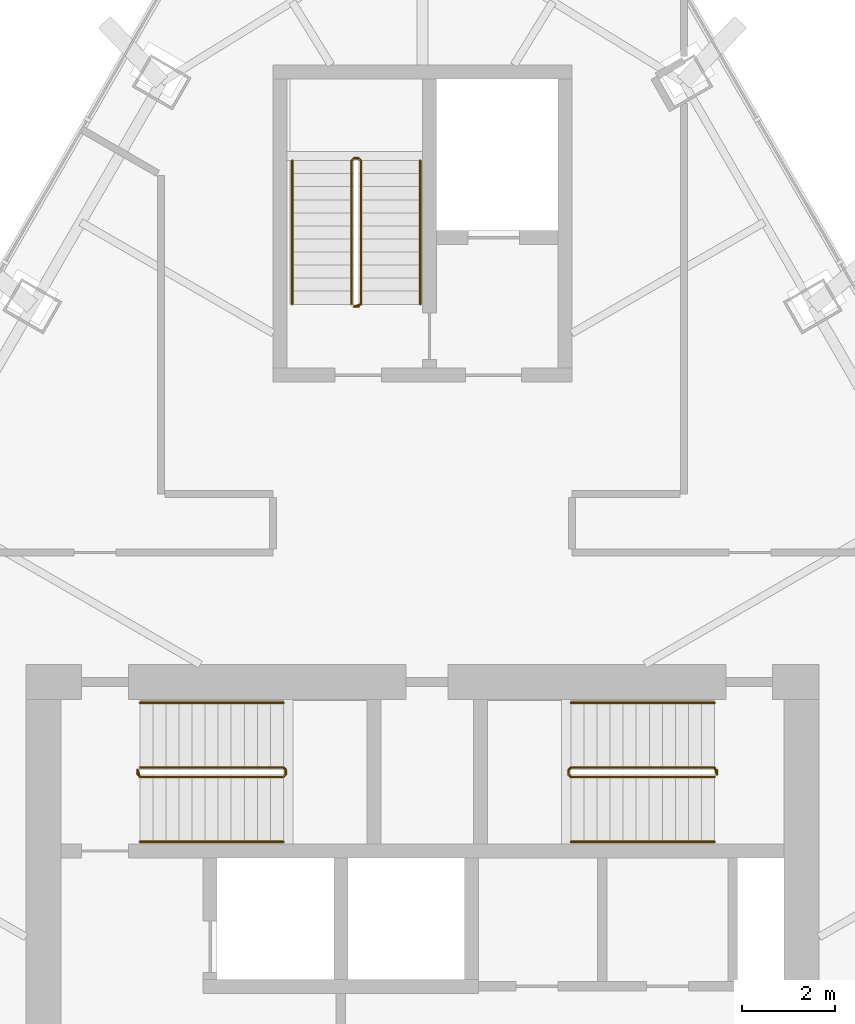
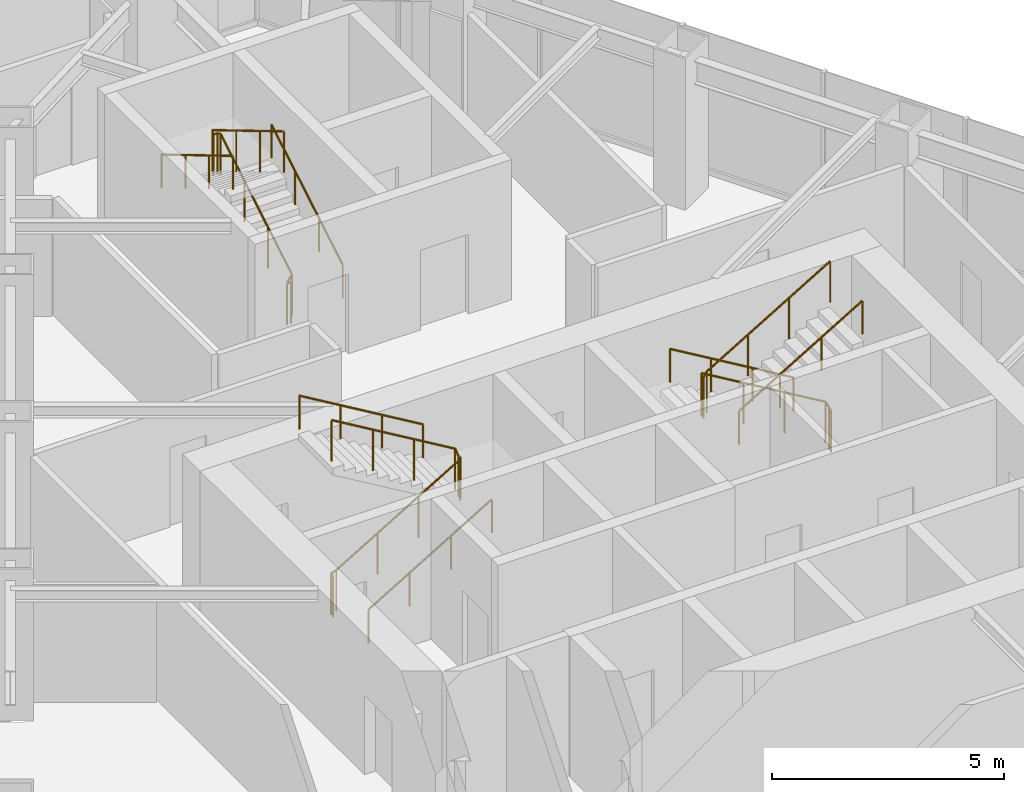
# One storey, part 14 of 14: 9 railings.
"""IFC4 building model written with IfcOpenShell, lengths in metres."""

from ifc_helpers import new_model, si_unit, direction, frame, origin, origin_2d, place, context, subcontext, project, spatial, circle, extrude, material, type_object, element, save


model = new_model("IFC4")

# Units and contexts
model_context = context("Model", 3, precision=1e-05, world=origin(), true_north=direction((0.0, 1.0)))
body_context = subcontext(model_context, "Body", "Model", "MODEL_VIEW")
ifc_project = project(units=[si_unit("LENGTHUNIT", "METRE"), si_unit("AREAUNIT", "SQUARE_METRE"), si_unit("VOLUMEUNIT", "CUBIC_METRE"), si_unit("PLANEANGLEUNIT", "RADIAN"), si_unit("MASSUNIT", "GRAM", prefix="KILO")], contexts=[model_context])

# Site, building, storey
site_placement = place(None, origin())
site = spatial("IfcSite", under=ifc_project, at=site_placement, CompositionType="ELEMENT")
building_placement = place(site_placement, origin())
building = spatial("IfcBuilding", under=site, at=building_placement, Name="Firuza Gate Tower and Library", CompositionType="ELEMENT")
storey_placement = place(building_placement, frame((0.0, 0.0, 331.60009765625)))
storey = spatial("IfcBuildingStorey", under=building, at=storey_placement, Name="L81", CompositionType="ELEMENT", Elevation=331.60009765625)

# Railings
ifc_material_1 = material(Name="Steel S355", Category="steel")
railing_type_1 = type_object("IfcRailingType", Name="Stair guard 1100", PredefinedType="GUARDRAIL", material=ifc_material_1)
railing_1_placement = place(storey_placement, frame((68.889892578125, 79.389892578125, 0.0)))
element("IfcRailing", 1, at=railing_1_placement, inside=storey, type_object=railing_type_1, Name="L81 ST1 stair guard 1", PredefinedType="GUARDRAIL", context=body_context, shape_type="SweptSolid", body=[
    extrude(circle(Radius=0.02392578125, at=origin_2d()), frame((0.0, 0.0, 1.076171875), z_axis=(0.0, 1.0, 0.0), x_axis=(-1.0, 0.0, 0.0)), (0.0, 0.0, 1.0), 0.10009765625),
    extrude(circle(Radius=0.02392578125, at=origin_2d()), frame((0.0, 0.10009765625, 1.076171875), z_axis=(0.218017880586, -0.652990139901, 0.725308266144), x_axis=(0.948528701346, 0.316691178788, 0.0)), (0.0, 0.0, 1.0), 0.2294921875),
    extrude(circle(Radius=0.02392578125, at=origin_2d()), frame((0.050048828125, -0.0498046875, 1.24267578125), z_axis=(0.85927862911, 0.0, 0.511507807912), x_axis=(0.0, 1.0, 0.0)), (0.0, 0.0, 1.0), 3.58447265625),
    extrude(circle(Radius=0.02392578125, at=origin_2d()), frame((3.130126953125, -0.0498046875, 3.076171875), z_axis=(0.708833529934, 0.705375805398, 0.0), x_axis=(-0.705375805398, 0.708833529934, 0.0)), (0.0, 0.0, 1.0), 0.070556640625),
    extrude(circle(Radius=0.02392578125, at=origin_2d()), frame((3.18017578125, 0.0, 3.076171875), z_axis=(0.0, 1.0, 0.0), x_axis=(-1.0, 0.0, 0.0)), (0.0, 0.0, 1.0), 0.10009765625),
    extrude(circle(Radius=0.02392578125, at=origin_2d()), frame((3.18017578125, 0.10009765625, 3.076171875), z_axis=(-0.27662974545, 0.27662974545, 0.920299933644), x_axis=(-0.707106781187, -0.707106781187, 0.0)), (0.0, 0.0, 1.0), 0.180908203125),
    extrude(circle(Radius=0.02392578125, at=origin_2d()), frame((3.130126953125, 0.150146484375, 3.24267578125), z_axis=(-0.85927862911, 0.0, 0.511507807912), x_axis=(0.0, -1.0, 0.0)), (0.0, 0.0, 1.0), 3.58447265625),
    extrude(circle(Radius=0.02099609375, at=origin_2d()), origin(), (0.0, 0.0, 1.0), 1.052001953125),
    extrude(circle(Radius=0.02099609375, at=origin_2d()), frame((0.0, 0.10009765625, 0.0)), (0.0, 0.0, 1.0), 1.052001953125),
    extrude(circle(Radius=0.02099609375, at=origin_2d()), frame((0.050048828125, -0.0498046875, 0.16650390625)), (0.0, 0.0, 1.0), 1.052001953125),
    extrude(circle(Radius=0.02099609375, at=origin_2d()), frame((1.07666015625, -0.0498046875, 0.777587890625)), (0.0, 0.0, 1.0), 1.052001953125),
    extrude(circle(Radius=0.02099609375, at=origin_2d()), frame((2.103515625, -0.0498046875, 1.388916015625)), (0.0, 0.0, 1.0), 1.052001953125),
    extrude(circle(Radius=0.02099609375, at=origin_2d()), frame((3.130126953125, -0.0498046875, 2.0)), (0.0, 0.0, 1.0), 1.052001953125),
    extrude(circle(Radius=0.02099609375, at=origin_2d()), frame((3.18017578125, 0.0, 2.0)), (0.0, 0.0, 1.0), 1.052001953125),
    extrude(circle(Radius=0.02099609375, at=origin_2d()), frame((3.18017578125, 0.10009765625, 2.0)), (0.0, 0.0, 1.0), 1.052001953125),
    extrude(circle(Radius=0.02099609375, at=origin_2d()), frame((3.130126953125, 0.150146484375, 2.16650390625)), (0.0, 0.0, 1.0), 1.052001953125),
    extrude(circle(Radius=0.02099609375, at=origin_2d()), frame((2.103515625, 0.150146484375, 2.777587890625)), (0.0, 0.0, 1.0), 1.052001953125),
    extrude(circle(Radius=0.02099609375, at=origin_2d()), frame((1.07666015625, 0.150146484375, 3.388916015625)), (0.0, 0.0, 1.0), 1.052001953125),
    extrude(circle(Radius=0.02099609375, at=origin_2d()), frame((0.050048828125, 0.150146484375, 4.0)), (0.0, 0.0, 1.0), 1.052001953125),
])
railing_2_placement = place(storey_placement, frame((81.31005859375, 79.489990234375, 0.0)))
element("IfcRailing", 2, at=railing_2_placement, inside=storey, type_object=railing_type_1, Name="L81 ST2 stair guard 1", PredefinedType="GUARDRAIL", context=body_context, shape_type="SweptSolid", body=[
    extrude(circle(Radius=0.02392578125, at=origin_2d()), frame((0.0, 0.0, 1.076171875), z_axis=(0.0, -1.0, 0.0), x_axis=(1.0, 0.0, 0.0)), (0.0, 0.0, 1.0), 0.10009765625),
    extrude(circle(Radius=0.02392578125, at=origin_2d()), frame((0.0, -0.10009765625, 1.076171875), z_axis=(-0.217866511207, 0.653599533622, 0.724804686066), x_axis=(-0.948683298051, -0.316227766017, 0.0)), (0.0, 0.0, 1.0), 0.229736328125),
    extrude(circle(Radius=0.02392578125, at=origin_2d()), frame((-0.050048828125, 0.050048828125, 1.24267578125), z_axis=(-0.85927862911, 0.0, 0.511507807912), x_axis=(0.0, -1.0, 0.0)), (0.0, 0.0, 1.0), 3.58447265625),
    extrude(circle(Radius=0.02392578125, at=origin_2d()), frame((-3.130126953125, 0.050048828125, 3.076171875), z_axis=(-0.707106781187, -0.707106781187, 0.0), x_axis=(0.707106781187, -0.707106781187, 0.0)), (0.0, 0.0, 1.0), 0.07080078125),
    extrude(circle(Radius=0.02392578125, at=origin_2d()), frame((-3.18017578125, 0.0, 3.076171875), z_axis=(0.0, -1.0, 0.0), x_axis=(1.0, 0.0, 0.0)), (0.0, 0.0, 1.0), 0.10009765625),
    extrude(circle(Radius=0.02392578125, at=origin_2d()), frame((-3.18017578125, -0.10009765625, 3.076171875), z_axis=(0.276732813696, -0.275382897532, 0.920642824102), x_axis=(0.705375805398, 0.708833529934, 0.0)), (0.0, 0.0, 1.0), 0.180908203125),
    extrude(circle(Radius=0.02392578125, at=origin_2d()), frame((-3.130126953125, -0.14990234375, 3.24267578125), z_axis=(0.85927862911, 0.0, 0.511507807912), x_axis=(0.0, 1.0, 0.0)), (0.0, 0.0, 1.0), 3.58447265625),
    extrude(circle(Radius=0.02099609375, at=origin_2d()), origin(), (0.0, 0.0, 1.0), 1.052001953125),
    extrude(circle(Radius=0.02099609375, at=origin_2d()), frame((0.0, -0.10009765625, 0.0)), (0.0, 0.0, 1.0), 1.052001953125),
    extrude(circle(Radius=0.02099609375, at=origin_2d()), frame((-0.050048828125, 0.050048828125, 0.16650390625)), (0.0, 0.0, 1.0), 1.052001953125),
    extrude(circle(Radius=0.02099609375, at=origin_2d()), frame((-1.07666015625, 0.050048828125, 0.777587890625)), (0.0, 0.0, 1.0), 1.052001953125),
    extrude(circle(Radius=0.02099609375, at=origin_2d()), frame((-2.103515625, 0.050048828125, 1.388916015625)), (0.0, 0.0, 1.0), 1.052001953125),
    extrude(circle(Radius=0.02099609375, at=origin_2d()), frame((-3.130126953125, 0.050048828125, 2.0)), (0.0, 0.0, 1.0), 1.052001953125),
    extrude(circle(Radius=0.02099609375, at=origin_2d()), frame((-3.18017578125, 0.0, 2.0)), (0.0, 0.0, 1.0), 1.052001953125),
    extrude(circle(Radius=0.02099609375, at=origin_2d()), frame((-3.18017578125, -0.10009765625, 2.0)), (0.0, 0.0, 1.0), 1.052001953125),
    extrude(circle(Radius=0.02099609375, at=origin_2d()), frame((-3.130126953125, -0.14990234375, 2.16650390625)), (0.0, 0.0, 1.0), 1.052001953125),
    extrude(circle(Radius=0.02099609375, at=origin_2d()), frame((-2.103515625, -0.14990234375, 2.777587890625)), (0.0, 0.0, 1.0), 1.052001953125),
    extrude(circle(Radius=0.02099609375, at=origin_2d()), frame((-1.07666015625, -0.14990234375, 3.388916015625)), (0.0, 0.0, 1.0), 1.052001953125),
    extrude(circle(Radius=0.02099609375, at=origin_2d()), frame((-0.050048828125, -0.14990234375, 4.0)), (0.0, 0.0, 1.0), 1.052001953125),
])
railing_3_placement = place(storey_placement, frame((73.6298828125, 89.419921875, 0.0)))
element("IfcRailing", 3, at=railing_3_placement, inside=storey, type_object=railing_type_1, Name="L81 ST3 stair guard 1", PredefinedType="GUARDRAIL", context=body_context, shape_type="SweptSolid", body=[
    extrude(circle(Radius=0.02392578125, at=origin_2d()), frame((0.0, 0.0, 1.076171875), z_axis=(-1.0, 0.0, 0.0), x_axis=(0.0, -1.0, 0.0)), (0.0, 0.0, 1.0), 0.099853515625),
    extrude(circle(Radius=0.02392578125, at=origin_2d()), frame((-0.099853515625, 0.0, 1.076171875), z_axis=(0.652990139901, 0.218017880586, 0.725308266144), x_axis=(-0.316691178788, 0.948528701346, 0.0)), (0.0, 0.0, 1.0), 0.2294921875),
    extrude(circle(Radius=0.02392578125, at=origin_2d()), frame((0.050048828125, 0.050048828125, 1.24267578125), z_axis=(0.0, 0.85927862911, 0.511507807912), x_axis=(-1.0, 0.0, 0.0)), (0.0, 0.0, 1.0), 3.58447265625),
    extrude(circle(Radius=0.02392578125, at=origin_2d()), frame((0.050048828125, 3.130126953125, 3.076171875), z_axis=(-0.707106781187, 0.707106781187, 0.0), x_axis=(-0.707106781187, -0.707106781187, 0.0)), (0.0, 0.0, 1.0), 0.07080078125),
    extrude(circle(Radius=0.02392578125, at=origin_2d()), frame((0.0, 3.18017578125, 3.076171875), z_axis=(-1.0, 0.0, 0.0), x_axis=(0.0, -1.0, 0.0)), (0.0, 0.0, 1.0), 0.099853515625),
    extrude(circle(Radius=0.02392578125, at=origin_2d()), frame((-0.099853515625, 3.18017578125, 3.076171875), z_axis=(-0.27662974545, -0.27662974545, 0.920299933644), x_axis=(0.707106781187, -0.707106781187, 0.0)), (0.0, 0.0, 1.0), 0.180908203125),
    extrude(circle(Radius=0.02392578125, at=origin_2d()), frame((-0.14990234375, 3.130126953125, 3.24267578125), z_axis=(0.0, -0.85927862911, 0.511507807912), x_axis=(1.0, 0.0, 0.0)), (0.0, 0.0, 1.0), 3.58447265625),
    extrude(circle(Radius=0.02099609375, at=origin_2d()), origin(), (0.0, 0.0, 1.0), 1.052001953125),
    extrude(circle(Radius=0.02099609375, at=origin_2d()), frame((-0.099853515625, 0.0, 0.0)), (0.0, 0.0, 1.0), 1.052001953125),
    extrude(circle(Radius=0.02099609375, at=origin_2d()), frame((0.050048828125, 0.050048828125, 0.16650390625)), (0.0, 0.0, 1.0), 1.052001953125),
    extrude(circle(Radius=0.02099609375, at=origin_2d()), frame((0.050048828125, 1.07666015625, 0.777587890625)), (0.0, 0.0, 1.0), 1.052001953125),
    extrude(circle(Radius=0.02099609375, at=origin_2d()), frame((0.050048828125, 2.103515625, 1.388916015625)), (0.0, 0.0, 1.0), 1.052001953125),
    extrude(circle(Radius=0.02099609375, at=origin_2d()), frame((0.050048828125, 3.130126953125, 2.0)), (0.0, 0.0, 1.0), 1.052001953125),
    extrude(circle(Radius=0.02099609375, at=origin_2d()), frame((0.0, 3.18017578125, 2.0)), (0.0, 0.0, 1.0), 1.052001953125),
    extrude(circle(Radius=0.02099609375, at=origin_2d()), frame((-0.099853515625, 3.18017578125, 2.0)), (0.0, 0.0, 1.0), 1.052001953125),
    extrude(circle(Radius=0.02099609375, at=origin_2d()), frame((-0.14990234375, 3.130126953125, 2.16650390625)), (0.0, 0.0, 1.0), 1.052001953125),
    extrude(circle(Radius=0.02099609375, at=origin_2d()), frame((-0.14990234375, 2.103515625, 2.777587890625)), (0.0, 0.0, 1.0), 1.052001953125),
    extrude(circle(Radius=0.02099609375, at=origin_2d()), frame((-0.14990234375, 1.07666015625, 3.388916015625)), (0.0, 0.0, 1.0), 1.052001953125),
    extrude(circle(Radius=0.02099609375, at=origin_2d()), frame((-0.14990234375, 0.050048828125, 4.0)), (0.0, 0.0, 1.0), 1.052001953125),
])
ifc_material_2 = material(Name="Steel S355", Category="steel")
railing_type_2 = type_object("IfcRailingType", Name="Stair handrail 900", PredefinedType="HANDRAIL", material=ifc_material_2)
railing_4_placement = place(storey_placement, frame((68.93994140625, 77.949951171875, 0.16650390625)))
element("IfcRailing", 4, at=railing_4_placement, inside=storey, type_object=railing_type_2, Name="L81 ST1 stair handrail 1", PredefinedType="HANDRAIL", context=body_context, shape_type="SweptSolid", body=[
    extrude(circle(Radius=0.02392578125, at=origin_2d()), frame((0.0, 0.0, 0.8759765625), z_axis=(0.85927862911, 0.0, 0.511507807912), x_axis=(0.0, 1.0, 0.0)), (0.0, 0.0, 1.0), 3.58447265625),
    extrude(circle(Radius=0.02099609375, at=origin_2d()), origin(), (0.0, 0.0, 1.0), 0.851806640625),
    extrude(circle(Radius=0.02099609375, at=origin_2d()), frame((1.026611328125, 0.0, 0.611083984375)), (0.0, 0.0, 1.0), 0.851806640625),
    extrude(circle(Radius=0.02099609375, at=origin_2d()), frame((2.053466796875, 0.0, 1.222412109375)), (0.0, 0.0, 1.0), 0.851806640625),
    extrude(circle(Radius=0.02099609375, at=origin_2d()), frame((3.080078125, 0.0, 1.83349609375)), (0.0, 0.0, 1.0), 0.851806640625),
])
for number, where, name in (
    (5, (72.02001953125, 80.929931640625, 2.16650390625), "L81 ST1 stair handrail 2"),
    (6, (81.260009765625, 80.929931640625, 0.16650390625), "L81 ST2 stair handrail 1"),
):
    element("IfcRailing", number, at=place(storey_placement, frame(where)), inside=storey, type_object=railing_type_2, Name=name, PredefinedType="HANDRAIL", context=body_context, shape_type="SweptSolid", body=[
        extrude(circle(Radius=0.02392578125, at=origin_2d()), frame((0.0, 0.0, 0.8759765625), z_axis=(-0.85927862911, 0.0, 0.511507807912), x_axis=(0.0, -1.0, 0.0)), (0.0, 0.0, 1.0), 3.58447265625),
        extrude(circle(Radius=0.02099609375, at=origin_2d()), origin(), (0.0, 0.0, 1.0), 0.851806640625),
        extrude(circle(Radius=0.02099609375, at=origin_2d()), frame((-1.026611328125, 0.0, 0.611083984375)), (0.0, 0.0, 1.0), 0.851806640625),
        extrude(circle(Radius=0.02099609375, at=origin_2d()), frame((-2.053466796875, 0.0, 1.222412109375)), (0.0, 0.0, 1.0), 0.851806640625),
        extrude(circle(Radius=0.02099609375, at=origin_2d()), frame((-3.080078125, 0.0, 1.83349609375)), (0.0, 0.0, 1.0), 0.851806640625),
    ])
railing_5_placement = place(storey_placement, frame((78.179931640625, 77.949951171875, 2.16650390625)))
element("IfcRailing", 7, at=railing_5_placement, inside=storey, type_object=railing_type_2, Name="L81 ST2 stair handrail 2", PredefinedType="HANDRAIL", context=body_context, shape_type="SweptSolid", body=[
    extrude(circle(Radius=0.02392578125, at=origin_2d()), frame((0.0, 0.0, 0.8759765625), z_axis=(0.85927862911, 0.0, 0.511507807912), x_axis=(0.0, 1.0, 0.0)), (0.0, 0.0, 1.0), 3.58447265625),
    extrude(circle(Radius=0.02099609375, at=origin_2d()), origin(), (0.0, 0.0, 1.0), 0.851806640625),
    extrude(circle(Radius=0.02099609375, at=origin_2d()), frame((1.026611328125, 0.0, 0.611083984375)), (0.0, 0.0, 1.0), 0.851806640625),
    extrude(circle(Radius=0.02099609375, at=origin_2d()), frame((2.053466796875, 0.0, 1.222412109375)), (0.0, 0.0, 1.0), 0.851806640625),
    extrude(circle(Radius=0.02099609375, at=origin_2d()), frame((3.080078125, 0.0, 1.83349609375)), (0.0, 0.0, 1.0), 0.851806640625),
])
railing_6_placement = place(storey_placement, frame((74.949951171875, 89.469970703125, 0.16650390625)))
element("IfcRailing", 8, at=railing_6_placement, inside=storey, type_object=railing_type_2, Name="L81 ST3 stair handrail 1", PredefinedType="HANDRAIL", context=body_context, shape_type="SweptSolid", body=[
    extrude(circle(Radius=0.02392578125, at=origin_2d()), frame((0.0, 0.0, 0.8759765625), z_axis=(0.0, 0.85927862911, 0.511507807912), x_axis=(-1.0, 0.0, 0.0)), (0.0, 0.0, 1.0), 3.58447265625),
    extrude(circle(Radius=0.02099609375, at=origin_2d()), origin(), (0.0, 0.0, 1.0), 0.851806640625),
    extrude(circle(Radius=0.02099609375, at=origin_2d()), frame((0.0, 1.026611328125, 0.611083984375)), (0.0, 0.0, 1.0), 0.851806640625),
    extrude(circle(Radius=0.02099609375, at=origin_2d()), frame((0.0, 2.053466796875, 1.222412109375)), (0.0, 0.0, 1.0), 0.851806640625),
    extrude(circle(Radius=0.02099609375, at=origin_2d()), frame((0.0, 3.080078125, 1.83349609375)), (0.0, 0.0, 1.0), 0.851806640625),
])
railing_7_placement = place(storey_placement, frame((72.2099609375, 92.550048828125, 2.16650390625)))
element("IfcRailing", 9, at=railing_7_placement, inside=storey, type_object=railing_type_2, Name="L81 ST3 stair handrail 2", PredefinedType="HANDRAIL", context=body_context, shape_type="SweptSolid", body=[
    extrude(circle(Radius=0.02392578125, at=origin_2d()), frame((0.0, 0.0, 0.8759765625), z_axis=(0.0, -0.85927862911, 0.511507807912), x_axis=(1.0, 0.0, 0.0)), (0.0, 0.0, 1.0), 3.58447265625),
    extrude(circle(Radius=0.02099609375, at=origin_2d()), origin(), (0.0, 0.0, 1.0), 0.851806640625),
    extrude(circle(Radius=0.02099609375, at=origin_2d()), frame((0.0, -1.026611328125, 0.611083984375)), (0.0, 0.0, 1.0), 0.851806640625),
    extrude(circle(Radius=0.02099609375, at=origin_2d()), frame((0.0, -2.053466796875, 1.222412109375)), (0.0, 0.0, 1.0), 0.851806640625),
    extrude(circle(Radius=0.02099609375, at=origin_2d()), frame((0.0, -3.080078125, 1.83349609375)), (0.0, 0.0, 1.0), 0.851806640625),
])

save(model, "model.ifc")
